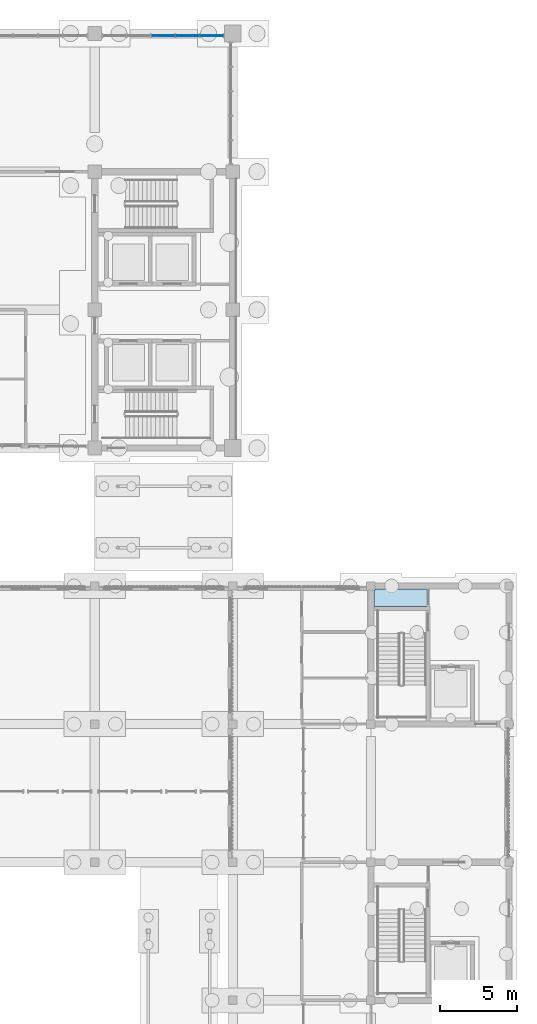
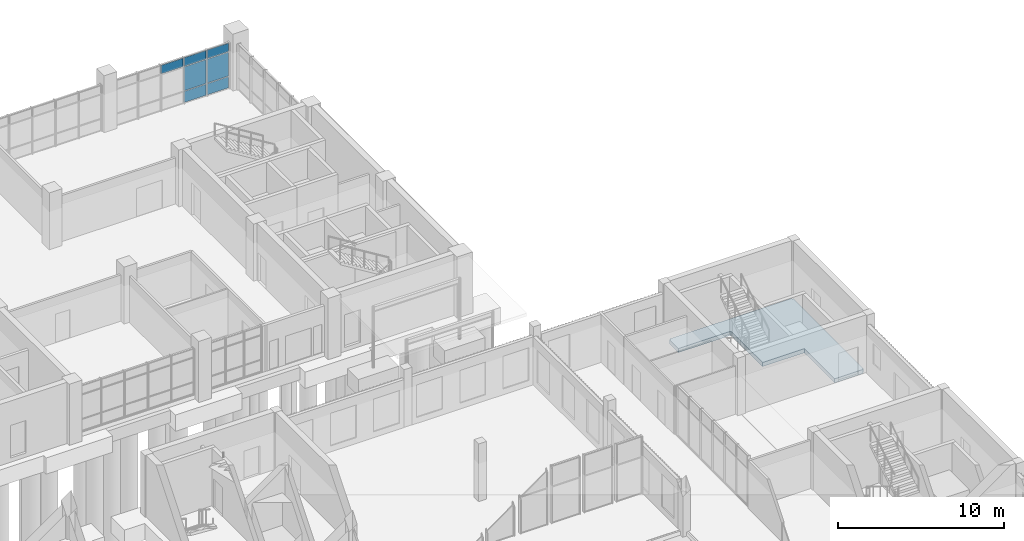
# One storey, part 64 of 106: 7 plates, 1 slab, 1 element without a shape of its own.
"""IFC4 building model written with IfcOpenShell, lengths in metres."""

from ifc_helpers import new_model, si_unit, direction, frame, origin, origin_2d, place, context, subcontext, project, spatial, polyline, rectangle, outline, extrude, material, layer, layer_set, type_object, element, aggregate, save


model = new_model("IFC4")

# Units and contexts
model_context = context("Model", 3, precision=1e-05, world=origin(), true_north=direction((0.0, 1.0)))
body_context = subcontext(model_context, "Body", "Model", "MODEL_VIEW")
ifc_project = project(units=[si_unit("LENGTHUNIT", "METRE"), si_unit("AREAUNIT", "SQUARE_METRE"), si_unit("VOLUMEUNIT", "CUBIC_METRE"), si_unit("PLANEANGLEUNIT", "RADIAN"), si_unit("MASSUNIT", "GRAM", prefix="KILO")], contexts=[model_context])

# Site, building, storey
site_placement = place(None, origin())
site = spatial("IfcSite", under=ifc_project, at=site_placement, CompositionType="ELEMENT")
building_placement = place(site_placement, origin())
building = spatial("IfcBuilding", under=site, at=building_placement, Name="Merrow Basin Faculty of Sciences", CompositionType="ELEMENT")
storey_placement = place(building_placement, origin())
storey = spatial("IfcBuildingStorey", under=building, at=storey_placement, Name="L00", CompositionType="ELEMENT", Elevation=0.0)

# Slab
ifc_material_1 = material(Name="Concrete C40/50", Category="concrete")
ifc_layer_1 = layer(ifc_material_1, 0.300048828125)
ifc_layer_set_1 = layer_set([ifc_layer_1], Name="Ground slab 300 Concrete C40/50")
slab_type = type_object("IfcSlabType", Name="Ground slab 300 Concrete C40/50", PredefinedType="BASESLAB", material=ifc_layer_set_1)
slab_placement = place(storey_placement, frame((0.0, 0.0, -0.300048828125)))
element("IfcSlab", 1, at=slab_placement, inside=storey, type_object=slab_type, Name="SL3 ground L00 002", PredefinedType="BASESLAB", context=body_context, shape_type="SweptSolid", body=[
    extrude(outline(polyline([(71.800048828125, 124.27490234375), (71.72509765625, 124.27490234375), (71.72509765625, 124.199951171875), (69.75, 124.199951171875), (69.75, 127.60009765625), (69.75, 127.85009765625), (66.85009765625, 127.85009765625), (66.85009765625, 131.39990234375), (66.85009765625, 131.64990234375), (63.199951171875, 131.64990234375), (63.199951171875, 132.72509765625), (63.27490234375, 132.72509765625), (63.27490234375, 132.800048828125), (71.72509765625, 132.800048828125), (71.72509765625, 132.72509765625), (71.800048828125, 132.72509765625), (71.800048828125, 124.27490234375)])), origin(), (0.0, 0.0, 1.0), 0.300048828125),
])

# Curtain wall, plates
ifc_material_2 = material(Name="Aluminium alloy 6063", Category="aluminium")
curtain_wall_type = type_object("IfcCurtainWallType", Name="Tower lobby curtain wall 280", PredefinedType="NOTDEFINED", material=ifc_material_2)
curtain_wall_placement = place(storey_placement, origin())
curtain_wall = element("IfcCurtainWall", 2, at=curtain_wall_placement, inside=storey, type_object=curtain_wall_type, Name="N curtain wall L00 5", PredefinedType="NOTDEFINED")
ifc_material_3 = material(Name="Insulated aluminium spandrel panel", Category="aluminium")
ifc_layer_2 = layer(ifc_material_3, 0.052001953125)
ifc_layer_set_2 = layer_set([ifc_layer_2], Name="Insulated spandrel panel 52")
plate_type_1 = type_object("IfcPlateType", Name="Insulated spandrel panel 52", PredefinedType="CURTAIN_PANEL", material=ifc_layer_set_2)
plate_1_placement = place(storey_placement, frame((51.050048828125, 168.860107421875, 0.06005859375), z_axis=(0.0, 0.0, 1.0), x_axis=(1.0, 0.0, 0.0)))
plate_1 = element("IfcPlate", 3, at=plate_1_placement, type_object=plate_type_1, Name="CW10 panel 4.1", PredefinedType="CURTAIN_PANEL", context=body_context, shape_type="SweptSolid", body=[
    extrude(rectangle(XDim=1.5400390625, YDim=0.052001953125, at=origin_2d()), origin(), (0.0, 0.0, 1.0), 0.81005859375),
])
plate_2_placement = place(storey_placement, frame((52.635009765625, 168.860107421875, 0.06005859375), z_axis=(0.0, 0.0, 1.0), x_axis=(1.0, 0.0, 0.0)))
plate_2 = element("IfcPlate", 4, at=plate_2_placement, type_object=plate_type_1, Name="CW10 panel 5.1", PredefinedType="CURTAIN_PANEL", context=body_context, shape_type="SweptSolid", body=[
    extrude(rectangle(XDim=1.510009765625, YDim=0.052001953125, at=origin_2d()), origin(), (0.0, 0.0, 1.0), 0.81005859375),
])
ifc_material_4 = material(Name="Laminated safety glass", Category="glass")
ifc_layer_3 = layer(ifc_material_4, 0.048095703125)
ifc_layer_set_3 = layer_set([ifc_layer_3], Name="Laminated triple glazed panel 48")
plate_type_2 = type_object("IfcPlateType", Name="Laminated triple glazed panel 48", PredefinedType="CURTAIN_PANEL", material=ifc_layer_set_3)
plate_3_placement = place(storey_placement, frame((49.449951171875, 168.860107421875, 2.72998046875), z_axis=(0.0, 0.0, 1.0), x_axis=(1.0, 0.0, 0.0)))
plate_3 = element("IfcPlate", 5, at=plate_3_placement, type_object=plate_type_2, Name="CW10 panel 3.3", PredefinedType="CURTAIN_PANEL", context=body_context, shape_type="SweptSolid", body=[
    extrude(rectangle(XDim=1.5400390625, YDim=0.048095703125, at=origin_2d()), origin(), (0.0, 0.0, 1.0), 0.610107421875),
])
plate_4_placement = place(storey_placement, frame((51.050048828125, 168.860107421875, 0.93017578125), z_axis=(0.0, 0.0, 1.0), x_axis=(1.0, 0.0, 0.0)))
plate_4 = element("IfcPlate", 6, at=plate_4_placement, type_object=plate_type_2, Name="CW10 panel 4.2", PredefinedType="CURTAIN_PANEL", context=body_context, shape_type="SweptSolid", body=[
    extrude(rectangle(XDim=1.5400390625, YDim=0.048095703125, at=origin_2d()), origin(), (0.0, 0.0, 1.0), 1.739990234375),
])
plate_5_placement = place(storey_placement, frame((51.050048828125, 168.860107421875, 2.72998046875), z_axis=(0.0, 0.0, 1.0), x_axis=(1.0, 0.0, 0.0)))
plate_5 = element("IfcPlate", 7, at=plate_5_placement, type_object=plate_type_2, Name="CW10 panel 4.3", PredefinedType="CURTAIN_PANEL", context=body_context, shape_type="SweptSolid", body=[
    extrude(rectangle(XDim=1.5400390625, YDim=0.048095703125, at=origin_2d()), origin(), (0.0, 0.0, 1.0), 0.610107421875),
])
plate_6_placement = place(storey_placement, frame((52.635009765625, 168.860107421875, 0.93017578125), z_axis=(0.0, 0.0, 1.0), x_axis=(1.0, 0.0, 0.0)))
plate_6 = element("IfcPlate", 8, at=plate_6_placement, type_object=plate_type_2, Name="CW10 panel 5.2", PredefinedType="CURTAIN_PANEL", context=body_context, shape_type="SweptSolid", body=[
    extrude(rectangle(XDim=1.510009765625, YDim=0.048095703125, at=origin_2d()), origin(), (0.0, 0.0, 1.0), 1.739990234375),
])
plate_7_placement = place(storey_placement, frame((52.635009765625, 168.860107421875, 2.72998046875), z_axis=(0.0, 0.0, 1.0), x_axis=(1.0, 0.0, 0.0)))
plate_7 = element("IfcPlate", 9, at=plate_7_placement, type_object=plate_type_2, Name="CW10 panel 5.3", PredefinedType="CURTAIN_PANEL", context=body_context, shape_type="SweptSolid", body=[
    extrude(rectangle(XDim=1.510009765625, YDim=0.048095703125, at=origin_2d()), origin(), (0.0, 0.0, 1.0), 0.610107421875),
])
aggregate(curtain_wall, [plate_3, plate_1, plate_4, plate_5, plate_2, plate_6, plate_7])

save(model, "model.ifc")
